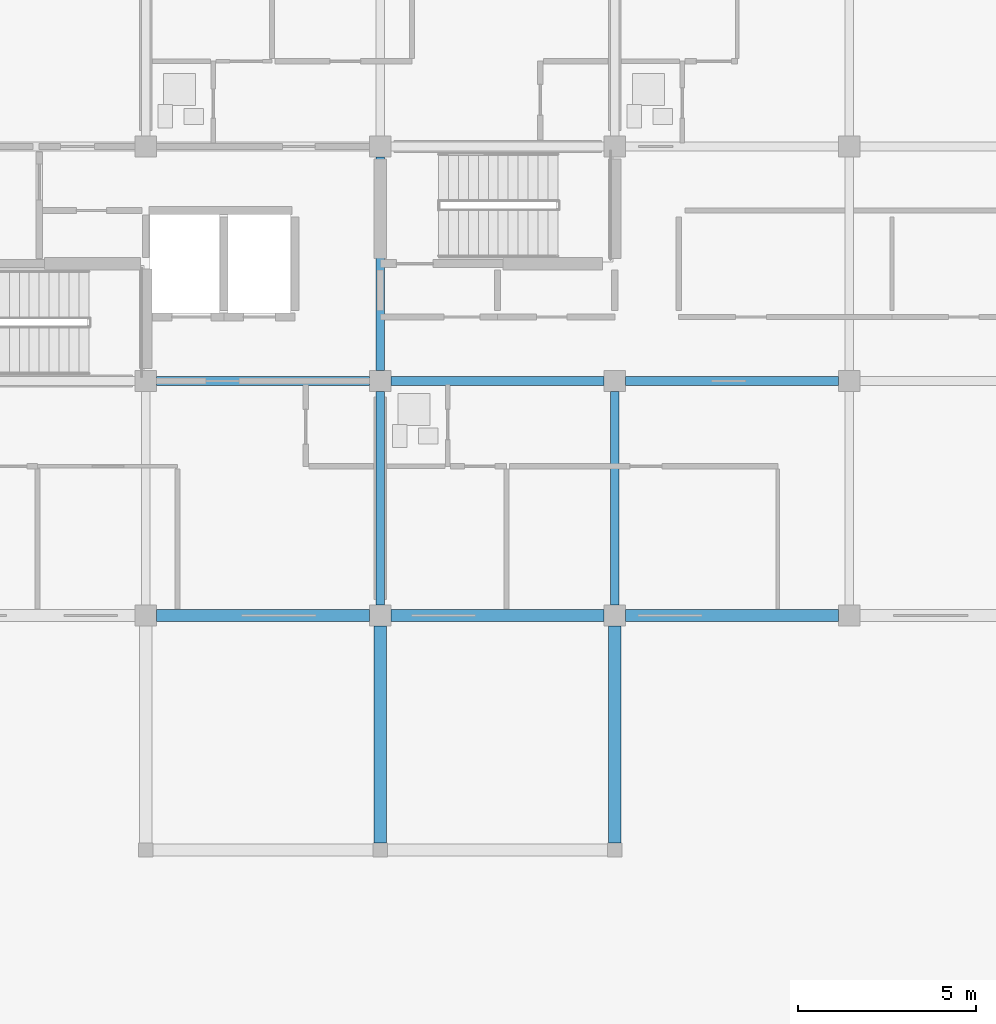
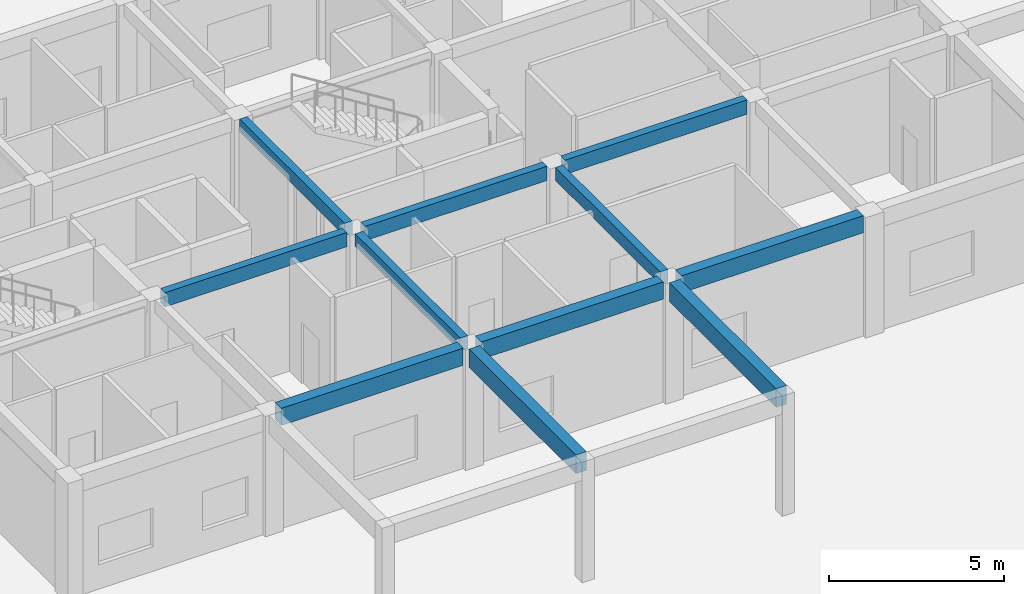
# One storey, part 34 of 92: 11 beams.
"""IFC4 building model written with IfcOpenShell, lengths in metres."""

from ifc_helpers import new_model, si_unit, direction, frame, origin, origin_2d, place, context, subcontext, project, spatial, rectangle, extrude, material, material_profile, profile_set, type_object, element, save


model = new_model("IFC4")

# Units and contexts
model_context = context("Model", 3, precision=1e-05, world=origin(), true_north=direction((0.0, 1.0)))
body_context = subcontext(model_context, "Body", "Model", "MODEL_VIEW")
ifc_project = project(units=[si_unit("LENGTHUNIT", "METRE"), si_unit("AREAUNIT", "SQUARE_METRE"), si_unit("VOLUMEUNIT", "CUBIC_METRE"), si_unit("PLANEANGLEUNIT", "RADIAN"), si_unit("MASSUNIT", "GRAM", prefix="KILO")], contexts=[model_context])

# Site, building, storey
site_placement = place(None, origin())
site = spatial("IfcSite", under=ifc_project, at=site_placement, CompositionType="ELEMENT")
building_placement = place(site_placement, origin())
building = spatial("IfcBuilding", under=site, at=building_placement, Name="Kernevlak Ridge Housing Community", CompositionType="ELEMENT")
storey_placement = place(building_placement, frame((0.0, 0.0, 4.199951171875)))
storey = spatial("IfcBuildingStorey", under=building, at=storey_placement, Name="L01", CompositionType="ELEMENT", Elevation=4.199951171875)

# Beams
ifc_material = material(Name="Concrete C35/45", Category="concrete")
ifc_material_profile_1 = material_profile(ifc_material, rectangle(XDim=0.35009765625, YDim=0.64990234375, at=origin_2d()), Name="RC 350x650")
ifc_profile_set_1 = profile_set([ifc_material_profile_1], Name="Concrete C35/45")
beam_type_1 = type_object("IfcBeamType", Name="B-02", PredefinedType="BEAM", material=ifc_profile_set_1)
for number, where, z_axis, x_axis, name in (
    (1, (28.800048828125, 69.60009765625, 3.875), (0.0, 1.0, 0.0), (-1.0, 0.0, 0.0), "Beam B-02 L01 2441"),
    (2, (35.39990234375, 69.60009765625, 3.875), (0.0, 1.0, 0.0), (-1.0, 0.0, 0.0), "Beam B-02 L01 2443"),
):
    element("IfcBeam", number, at=place(storey_placement, frame(where, z_axis=z_axis, x_axis=x_axis)), inside=storey, type_object=beam_type_1, Name=name, PredefinedType="BEAM", context=body_context, shape_type="SweptSolid", body=[
        extrude(rectangle(XDim=0.35009765625, YDim=0.64990234375, at=origin_2d()), origin(), (0.0, 0.0, 1.0), 6.099853515625),
    ])
ifc_material_profile_2 = material_profile(ifc_material, rectangle(XDim=0.25, YDim=0.449951171875, at=origin_2d()), Name="RC 250x450")
ifc_profile_set_2 = profile_set([ifc_material_profile_2], Name="Concrete C35/45")
beam_type_2 = type_object("IfcBeamType", Name="B-04", PredefinedType="T_BEAM", material=ifc_profile_set_2)
for number, where, z_axis, x_axis, name in (
    (3, (28.800048828125, 76.300048828125, 3.97509765625), (0.0, 1.0, 0.0), (-1.0, 0.0, 0.0), "Beam B-04 L01 98"),
    (4, (28.800048828125, 82.89990234375, 3.97509765625), (0.0, 1.0, 0.0), (-1.0, 0.0, 0.0), "Beam B-04 L01 99"),
    (5, (35.39990234375, 76.300048828125, 3.97509765625), (0.0, 1.0, 0.0), (-1.0, 0.0, 0.0), "Beam B-04 L01 101"),
):
    element("IfcBeam", number, at=place(storey_placement, frame(where, z_axis=z_axis, x_axis=x_axis)), inside=storey, type_object=beam_type_2, Name=name, PredefinedType="T_BEAM", context=body_context, shape_type="SweptSolid", body=[
        extrude(rectangle(XDim=0.25, YDim=0.449951171875, at=origin_2d()), origin(), (0.0, 0.0, 1.0), 6.0),
    ])
ifc_material_profile_3 = material_profile(ifc_material, rectangle(XDim=0.25, YDim=0.5, at=origin_2d()), Name="RC 250x500")
ifc_profile_set_3 = profile_set([ifc_material_profile_3], Name="Concrete C35/45")
beam_type_3 = type_object("IfcBeamType", Name="B-06", PredefinedType="T_BEAM", material=ifc_profile_set_3)
for number, where, z_axis, x_axis, name in (
    (6, (22.5, 82.60009765625, 3.949951171875), (1.0, 0.0, 0.0), (0.0, 1.0, 0.0), "Beam B-06 L01 79"),
    (7, (29.10009765625, 82.60009765625, 3.949951171875), (1.0, 0.0, 0.0), (0.0, 1.0, 0.0), "Beam B-06 L01 80"),
    (8, (35.699951171875, 82.60009765625, 3.949951171875), (1.0, 0.0, 0.0), (0.0, 1.0, 0.0), "Beam B-06 L01 81"),
):
    element("IfcBeam", number, at=place(storey_placement, frame(where, z_axis=z_axis, x_axis=x_axis)), inside=storey, type_object=beam_type_3, Name=name, PredefinedType="T_BEAM", context=body_context, shape_type="SweptSolid", body=[
        extrude(rectangle(XDim=0.25, YDim=0.5, at=origin_2d()), origin(), (0.0, 0.0, 1.0), 6.0),
    ])
ifc_material_profile_4 = material_profile(ifc_material, rectangle(XDim=0.35009765625, YDim=0.60009765625, at=origin_2d()), Name="RC 350x600")
ifc_profile_set_4 = profile_set([ifc_material_profile_4], Name="Concrete C35/45")
beam_type_4 = type_object("IfcBeamType", Name="SP-03", PredefinedType="SPANDREL", material=ifc_profile_set_4)
for number, where, z_axis, x_axis, name in (
    (9, (22.5, 76.0, 3.900146484375), (1.0, 0.0, 0.0), (0.0, 1.0, 0.0), "Beam SP-03 L01 74"),
    (10, (29.10009765625, 76.0, 3.900146484375), (1.0, 0.0, 0.0), (0.0, 1.0, 0.0), "Beam SP-03 L01 75"),
    (11, (35.699951171875, 76.0, 3.900146484375), (1.0, 0.0, 0.0), (0.0, 1.0, 0.0), "Beam SP-03 L01 76"),
):
    element("IfcBeam", number, at=place(storey_placement, frame(where, z_axis=z_axis, x_axis=x_axis)), inside=storey, type_object=beam_type_4, Name=name, PredefinedType="SPANDREL", context=body_context, shape_type="SweptSolid", body=[
        extrude(rectangle(XDim=0.35009765625, YDim=0.60009765625, at=origin_2d()), origin(), (0.0, 0.0, 1.0), 6.0),
    ])

save(model, "model.ifc")
